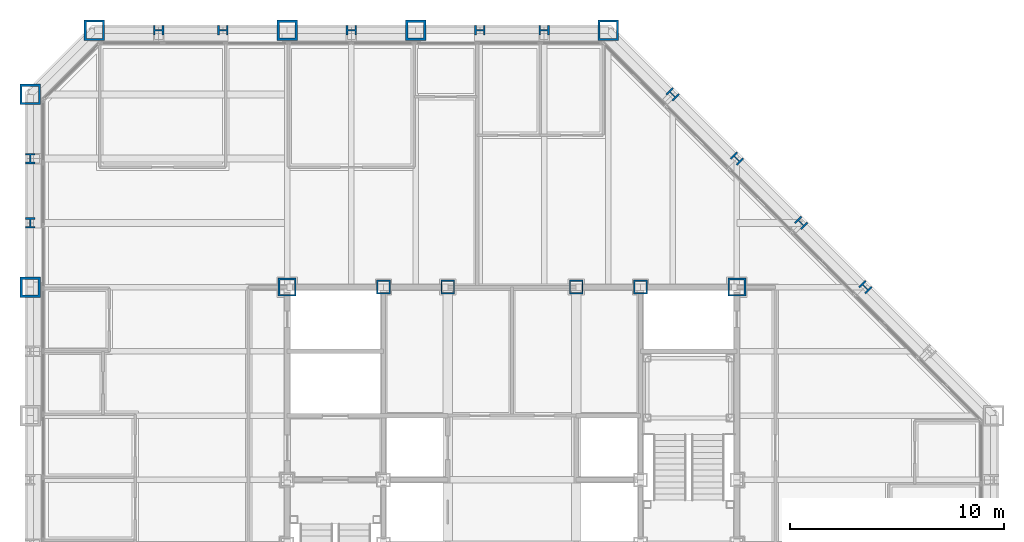
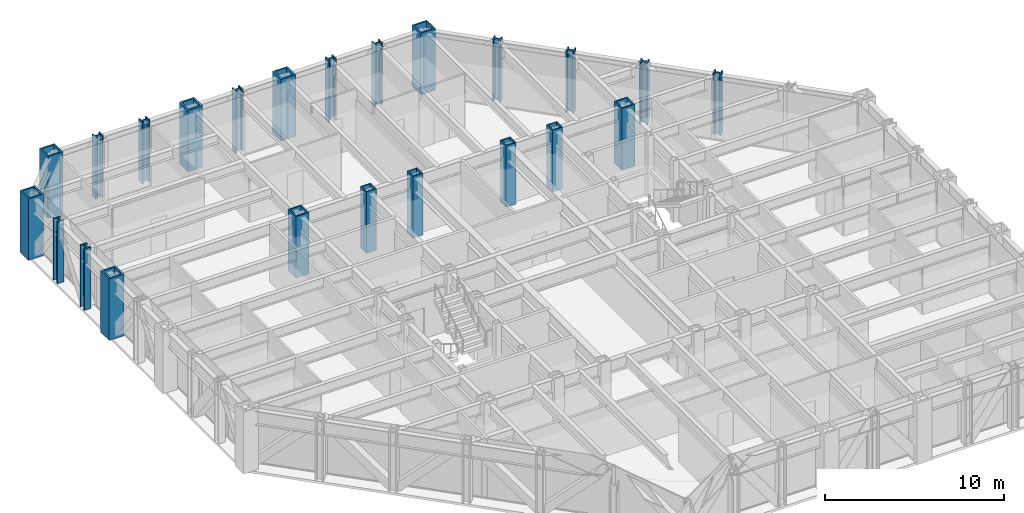
# One storey, part 3 of 16: 23 columns.
"""IFC4 building model written with IfcOpenShell, lengths in metres."""

from ifc_helpers import new_model, si_unit, direction, frame, origin, origin_2d, place, context, subcontext, project, spatial, hollow_rectangle, i_section, extrude, material, material_profile, profile_set, type_object, element, save


model = new_model("IFC4")

# Units and contexts
model_context = context("Model", 3, precision=1e-05, world=origin(), true_north=direction((0.0, 1.0)))
body_context = subcontext(model_context, "Body", "Model", "MODEL_VIEW")
ifc_project = project(units=[si_unit("LENGTHUNIT", "METRE"), si_unit("AREAUNIT", "SQUARE_METRE"), si_unit("VOLUMEUNIT", "CUBIC_METRE"), si_unit("PLANEANGLEUNIT", "RADIAN"), si_unit("MASSUNIT", "GRAM", prefix="KILO")], contexts=[model_context])

# Site, building, storey
site_placement = place(None, origin())
site = spatial("IfcSite", under=ifc_project, at=site_placement, CompositionType="ELEMENT")
building_placement = place(site_placement, origin())
building = spatial("IfcBuilding", under=site, at=building_placement, Name="Chuquiago Exchange Tower", CompositionType="ELEMENT")
storey_placement = place(building_placement, frame((0.0, 0.0, 161.39990234375)))
storey = spatial("IfcBuildingStorey", under=building, at=storey_placement, Name="L35", CompositionType="ELEMENT", Elevation=161.39990234375)

# Columns
ifc_material_1 = material(Name="Steel ASTM A992", Category="steel")
ifc_material_profile_1 = material_profile(ifc_material_1, i_section(OverallWidth=0.431884765625, OverallDepth=0.497802734375, WebThickness=0.0556640625, FlangeThickness=0.0888671875, at=origin_2d()), Name="W14X500")
ifc_profile_set_1 = profile_set([ifc_material_profile_1], Name="Steel ASTM A992")
column_type_1 = type_object("IfcColumnType", Name="C7 W14X500", PredefinedType="COLUMN", material=ifc_profile_set_1)
for number, where, z_axis, x_axis, name in (
    (1, (24.0, 45.0, 0.0), (0.0, 0.0, 1.0), (0.0, 1.0, 0.0), "COL-L35-24_45"),
    (2, (21.0, 45.0, 0.0), (0.0, 0.0, 1.0), (0.0, 1.0, 0.0), "COL-L35-21_45"),
    (3, (15.0, 45.0, 0.0), (0.0, 0.0, 1.0), (0.0, 1.0, 0.0), "COL-L35-15_45"),
    (4, (9.0, 45.0, 0.0), (0.0, 0.0, 1.0), (0.0, 1.0, 0.0), "COL-L35-9_45"),
    (5, (6.0, 45.0, 0.0), (0.0, 0.0, 1.0), (0.0, 1.0, 0.0), "COL-L35-6_45"),
    (6, (0.0, 39.0, 0.0), (0.0, 0.0, 1.0), (-1.0, 0.0, 0.0), "COL-L35-0_39"),
    (7, (0.0, 36.0, 0.0), (0.0, 0.0, 1.0), (-1.0, 0.0, 0.0), "COL-L35-0_36"),
):
    element("IfcColumn", number, at=place(storey_placement, frame(where, z_axis=z_axis, x_axis=x_axis)), inside=storey, type_object=column_type_1, Name=name, PredefinedType="COLUMN", context=body_context, shape_type="SweptSolid", body=[
        extrude(i_section(OverallWidth=0.431884765625, OverallDepth=0.497802734375, WebThickness=0.0556640625, FlangeThickness=0.0888671875, at=origin_2d()), origin(), (0.0, 0.0, 1.0), 4.2001953125),
    ])
ifc_material_2 = material(Name="Steel ASTM A572 Grade 50", Category="steel")
ifc_material_profile_2 = material_profile(ifc_material_2, hollow_rectangle(XDim=0.85009765625, YDim=0.85009765625, WallThickness=0.0849609375, at=origin_2d()), Name="BOX850X850X85")
ifc_profile_set_2 = profile_set([ifc_material_profile_2], Name="Steel ASTM A572 Grade 50")
column_type_2 = type_object("IfcColumnType", Name="CC6 BOX850X850X85", PredefinedType="COLUMN", material=ifc_profile_set_2)
for number, where, z_axis, x_axis, name in (
    (8, (12.0, 33.0, 0.0), (0.0, 0.0, 1.0), (1.0, 0.0, 0.0), "CCOL-L35-12_33"),
    (9, (33.0, 33.0, 0.0), (0.0, 0.0, 1.0), (1.0, 0.0, 0.0), "CCOL-L35-33_33"),
):
    element("IfcColumn", number, at=place(storey_placement, frame(where, z_axis=z_axis, x_axis=x_axis)), inside=storey, type_object=column_type_2, Name=name, PredefinedType="COLUMN", context=body_context, shape_type="SweptSolid", body=[
        extrude(hollow_rectangle(XDim=0.85009765625, YDim=0.85009765625, WallThickness=0.0849609375, at=origin_2d()), origin(), (0.0, 0.0, 1.0), 4.2001953125),
    ])
ifc_material_3 = material(Name="Steel ASTM A572 Grade 50", Category="steel")
ifc_material_profile_3 = material_profile(ifc_material_3, hollow_rectangle(XDim=0.64990234375, YDim=0.64990234375, WallThickness=0.06494140625, at=origin_2d()), Name="BOX650X650X65")
ifc_profile_set_3 = profile_set([ifc_material_profile_3], Name="Steel ASTM A572 Grade 50")
column_type_3 = type_object("IfcColumnType", Name="CC7 BOX650X650X65", PredefinedType="COLUMN", material=ifc_profile_set_3)
for number, where, z_axis, x_axis, name in (
    (10, (16.5, 33.0, 0.0), (0.0, 0.0, 1.0), (1.0, 0.0, 0.0), "CCOL-L35-16.5_33"),
    (11, (19.5, 33.0, 0.0), (0.0, 0.0, 1.0), (1.0, 0.0, 0.0), "CCOL-L35-19.5_33"),
    (12, (25.5, 33.0, 0.0), (0.0, 0.0, 1.0), (1.0, 0.0, 0.0), "CCOL-L35-25.5_33"),
    (13, (28.5, 33.0, 0.0), (0.0, 0.0, 1.0), (1.0, 0.0, 0.0), "CCOL-L35-28.5_33"),
):
    element("IfcColumn", number, at=place(storey_placement, frame(where, z_axis=z_axis, x_axis=x_axis)), inside=storey, type_object=column_type_3, Name=name, PredefinedType="COLUMN", context=body_context, shape_type="SweptSolid", body=[
        extrude(hollow_rectangle(XDim=0.64990234375, YDim=0.64990234375, WallThickness=0.06494140625, at=origin_2d()), origin(), (0.0, 0.0, 1.0), 4.2001953125),
    ])
ifc_material_4 = material(Name="Steel ASTM A992", Category="steel")
ifc_material_profile_4 = material_profile(ifc_material_4, i_section(OverallWidth=0.4267578125, OverallDepth=0.482666015625, WebThickness=0.05126953125, FlangeThickness=0.08154296875, at=origin_2d()), Name="W14X455")
ifc_profile_set_4 = profile_set([ifc_material_profile_4], Name="Steel ASTM A992")
column_type_4 = type_object("IfcColumnType", Name="CK6 W14X455", PredefinedType="COLUMN", material=ifc_profile_set_4)
for number, where, z_axis, x_axis, name in (
    (14, (39.0, 33.0, 0.0), (0.0, 0.0, 1.0), (0.707106781187, 0.707106781187, 0.0), "COL-L35-39_33"),
    (15, (36.0, 36.0, 0.0), (0.0, 0.0, 1.0), (0.707106781187, 0.707106781187, 0.0), "COL-L35-36_36"),
    (16, (33.0, 39.0, 0.0), (0.0, 0.0, 1.0), (0.707106781187, 0.707106781187, 0.0), "COL-L35-33_39"),
    (17, (30.0, 42.0, 0.0), (0.0, 0.0, 1.0), (0.707106781187, 0.707106781187, 0.0), "COL-L35-30_42"),
):
    element("IfcColumn", number, at=place(storey_placement, frame(where, z_axis=z_axis, x_axis=x_axis)), inside=storey, type_object=column_type_4, Name=name, PredefinedType="COLUMN", context=body_context, shape_type="SweptSolid", body=[
        extrude(i_section(OverallWidth=0.4267578125, OverallDepth=0.482666015625, WebThickness=0.05126953125, FlangeThickness=0.08154296875, at=origin_2d()), origin(), (0.0, 0.0, 1.0), 4.2001953125),
    ])
ifc_material_5 = material(Name="Steel ASTM A572 Grade 50", Category="steel")
ifc_material_profile_5 = material_profile(ifc_material_5, hollow_rectangle(XDim=0.949951171875, YDim=0.949951171875, WallThickness=0.094970703125, at=origin_2d()), Name="BOX950X950X95")
ifc_profile_set_5 = profile_set([ifc_material_profile_5], Name="Steel ASTM A572 Grade 50")
column_type_5 = type_object("IfcColumnType", Name="CN1 BOX950X950X95", PredefinedType="COLUMN", material=ifc_profile_set_5)
for number, where, z_axis, x_axis, name in (
    (18, (27.0, 45.0, 0.0), (0.0, 0.0, 1.0), (0.0, 1.0, 0.0), "COL-L35-27_45"),
    (19, (3.0, 45.0, 0.0), (0.0, 0.0, 1.0), (0.0, 1.0, 0.0), "COL-L35-3_45"),
    (20, (0.0, 42.0, 0.0), (0.0, 0.0, 1.0), (-1.0, 0.0, 0.0), "COL-L35-0_42"),
):
    element("IfcColumn", number, at=place(storey_placement, frame(where, z_axis=z_axis, x_axis=x_axis)), inside=storey, type_object=column_type_5, Name=name, PredefinedType="COLUMN", context=body_context, shape_type="SweptSolid", body=[
        extrude(hollow_rectangle(XDim=0.949951171875, YDim=0.949951171875, WallThickness=0.094970703125, at=origin_2d()), origin(), (0.0, 0.0, 1.0), 4.2001953125),
    ])
ifc_material_6 = material(Name="Steel ASTM A572 Grade 42", Category="steel")
ifc_material_profile_6 = material_profile(ifc_material_6, hollow_rectangle(XDim=0.949951171875, YDim=0.949951171875, WallThickness=0.110107421875, at=origin_2d()), Name="BOX950X950X110")
ifc_profile_set_6 = profile_set([ifc_material_profile_6], Name="Steel ASTM A572 Grade 42")
column_type_6 = type_object("IfcColumnType", Name="CT1 BOX950X950X110", PredefinedType="COLUMN", material=ifc_profile_set_6)
for number, where, z_axis, x_axis, name in (
    (21, (18.0, 45.0, 0.0), (0.0, 0.0, 1.0), (0.0, 1.0, 0.0), "COL-L35-18_45"),
    (22, (12.0, 45.0, 0.0), (0.0, 0.0, 1.0), (0.0, 1.0, 0.0), "COL-L35-12_45"),
    (23, (0.0, 33.0, 0.0), (0.0, 0.0, 1.0), (-1.0, 0.0, 0.0), "COL-L35-0_33"),
):
    element("IfcColumn", number, at=place(storey_placement, frame(where, z_axis=z_axis, x_axis=x_axis)), inside=storey, type_object=column_type_6, Name=name, PredefinedType="COLUMN", context=body_context, shape_type="SweptSolid", body=[
        extrude(hollow_rectangle(XDim=0.949951171875, YDim=0.949951171875, WallThickness=0.110107421875, at=origin_2d()), origin(), (0.0, 0.0, 1.0), 4.2001953125),
    ])

save(model, "model.ifc")
